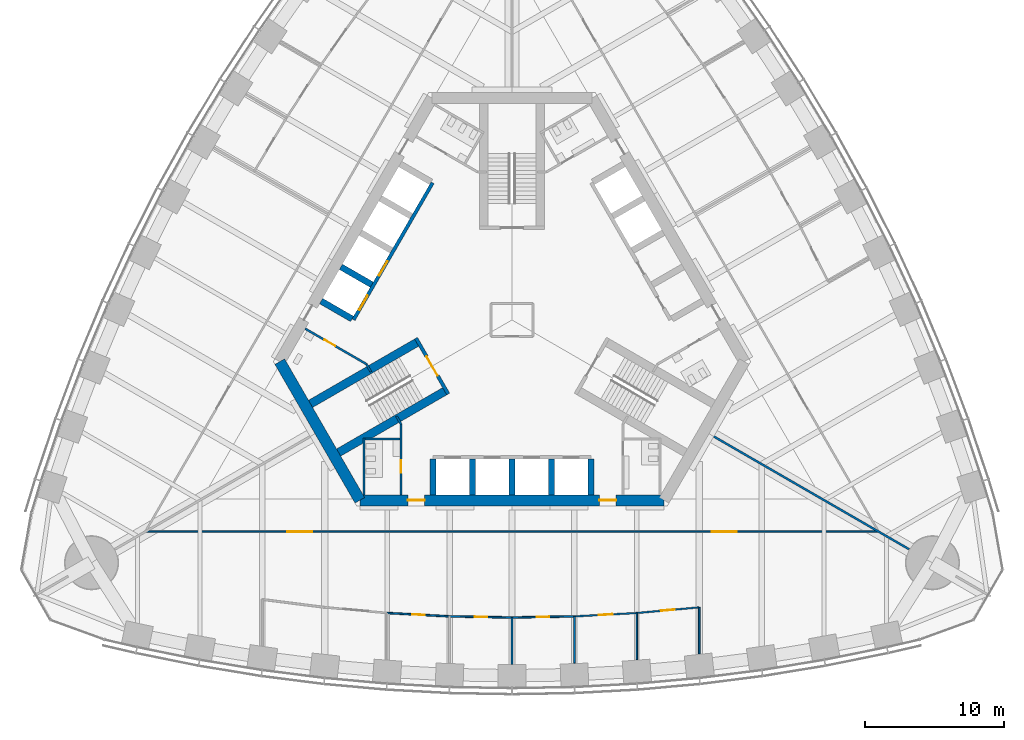
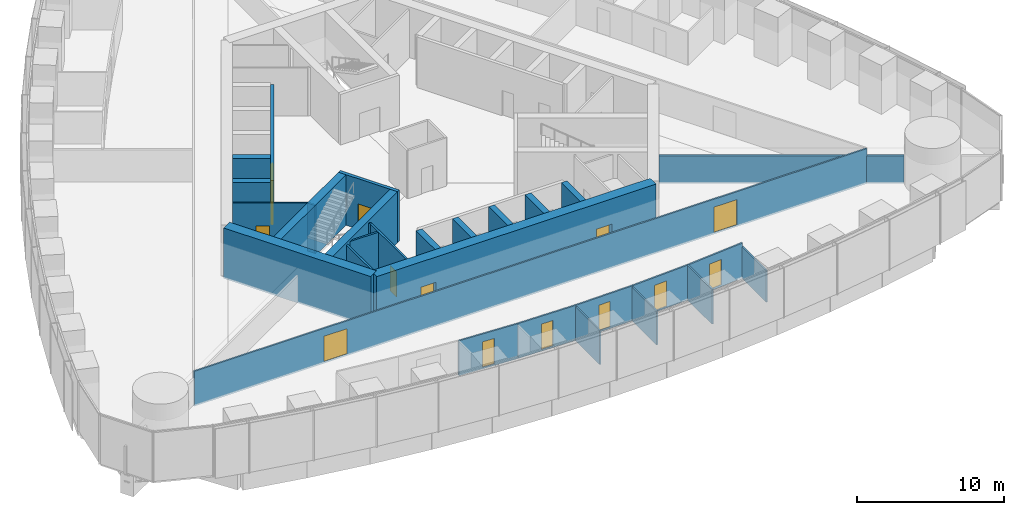
# One storey, part 11 of 19: 30 walls, 14 doors, 14 openings.
"""IFC4 building model written with IfcOpenShell, lengths in metres."""

from ifc_helpers import new_model, si_unit, direction, frame, frame_2d, origin, place, context, subcontext, project, spatial, rectangle, extrude, material, layer, layer_set, type_object, element, fill, save


model = new_model("IFC4")

# Units and contexts
model_context = context("Model", 3, precision=1e-05, world=origin(), true_north=direction((0.0, 1.0)))
body_context = subcontext(model_context, "Body", "Model", "MODEL_VIEW")
ifc_project = project(units=[si_unit("LENGTHUNIT", "METRE"), si_unit("AREAUNIT", "SQUARE_METRE"), si_unit("VOLUMEUNIT", "CUBIC_METRE"), si_unit("PLANEANGLEUNIT", "RADIAN"), si_unit("MASSUNIT", "GRAM", prefix="KILO")], contexts=[model_context])

# Site, building, storey
site_placement = place(None, origin())
site = spatial("IfcSite", under=ifc_project, at=site_placement, CompositionType="ELEMENT")
building_placement = place(site_placement, origin())
building = spatial("IfcBuilding", under=site, at=building_placement, Name="Trefoil Bronze Tower", CompositionType="ELEMENT")
storey_placement = place(building_placement, frame((0.0, 0.0, 166.10009765625)))
storey = spatial("IfcBuildingStorey", under=building, at=storey_placement, Name="L38", CompositionType="ELEMENT", Elevation=166.10009765625)

# Wall, openings, doors
ifc_material_1 = material(Name="Concrete B80", Category="concrete")
ifc_layer_1 = layer(ifc_material_1, 0.800048828125)
ifc_layer_set_1 = layer_set([ifc_layer_1], Name="Core wall 800")
wall_type_1 = type_object("IfcWallType", Name="Core wall 800", PredefinedType="SHEAR", material=ifc_layer_set_1)
wall_1_placement = place(storey_placement, frame((-10.9697265625, -13.0, 0.0), z_axis=(0.0, 0.0, 1.0), x_axis=(1.0, 0.0, 0.0)))
wall_1 = element("IfcWall", 1, at=wall_1_placement, inside=storey, type_object=wall_type_1, Name="Core long wall 1 L38", PredefinedType="SHEAR", context=body_context, shape_type="SweptSolid", body=[
    extrude(rectangle(XDim=21.939453125, YDim=0.800048828125, at=frame_2d((10.9697265625, 0.0))), origin(), (0.0, 0.0, 1.0), 4.199951171875),
])
opening_1_placement = place(wall_1_placement, frame((17.269775390625, 0.0, 0.0)))
opening_1 = element("IfcOpeningElement", 2, at=opening_1_placement, cuts=wall_1, Name="Opening D2", PredefinedType="OPENING", context=body_context, shape_type="SweptSolid", body=[
    extrude(rectangle(XDim=1.199951171875, YDim=2.10009765625, at=frame_2d((0.60009765625, 1.050048828125))), frame((0.0, 0.409912109375, 0.0), z_axis=(0.0, -1.0, 0.0), x_axis=(1.0, 0.0, 0.0)), (0.0, 0.0, 1.0), 0.820068359375),
])
opening_2_placement = place(wall_1_placement, frame((3.4697265625, 0.0, 0.0)))
opening_2 = element("IfcOpeningElement", 3, at=opening_2_placement, cuts=wall_1, Name="Opening D2", PredefinedType="OPENING", context=body_context, shape_type="SweptSolid", body=[
    extrude(rectangle(XDim=1.199951171875, YDim=2.10009765625, at=frame_2d((0.60009765625, 1.050048828125))), frame((0.0, 0.409912109375, 0.0), z_axis=(0.0, -1.0, 0.0), x_axis=(1.0, 0.0, 0.0)), (0.0, 0.0, 1.0), 0.820068359375),
])
ifc_material_2 = material(Name="Steel door", Category="steel")
door_type_1 = type_object("IfcDoorType", Name="Lobby door 1200", OperationType="SINGLE_SWING_RIGHT", PredefinedType="DOOR", material=ifc_material_2)
door_1_placement = place(opening_1_placement, origin())
door_1 = element("IfcDoor", 4, at=door_1_placement, inside=storey, type_object=door_type_1, Name="Lobby door F1+ L38", OperationType="SINGLE_SWING_RIGHT", OverallHeight=2.10009765625, OverallWidth=1.199951171875, PredefinedType="DOOR", context=body_context, shape_type="SweptSolid", body=[
    extrude(rectangle(XDim=1.199951171875, YDim=2.10009765625, at=frame_2d((0.60009765625, 1.050048828125))), frame((0.0, 0.02490234375, 0.0), z_axis=(0.0, -1.0, 0.0), x_axis=(1.0, 0.0, 0.0)), (0.0, 0.0, 1.0), 0.050048828125),
])
fill(opening_1, door_1)
door_2_placement = place(opening_2_placement, origin())
door_2 = element("IfcDoor", 5, at=door_2_placement, inside=storey, type_object=door_type_1, Name="Lobby door F1- L38", OperationType="SINGLE_SWING_LEFT", OverallHeight=2.10009765625, OverallWidth=1.199951171875, PredefinedType="DOOR", context=body_context, shape_type="SweptSolid", body=[
    extrude(rectangle(XDim=1.199951171875, YDim=2.10009765625, at=frame_2d((0.60009765625, 1.050048828125))), frame((0.0, 0.02490234375, 0.0), z_axis=(0.0, -1.0, 0.0), x_axis=(1.0, 0.0, 0.0)), (0.0, 0.0, 1.0), 0.050048828125),
])
fill(opening_2, door_2)

# Wall
wall_2_placement = place(storey_placement, frame((-16.7431640625, -3.0, 0.0), z_axis=(0.0, 0.0, 1.0), x_axis=(0.499995765644, -0.866027848477, 0.0)))
element("IfcWall", 6, at=wall_2_placement, inside=storey, type_object=wall_type_1, Name="Core short wall 3 L38", PredefinedType="SHEAR", context=body_context, shape_type="SweptSolid", body=[
    extrude(rectangle(XDim=11.546875, YDim=0.800048828125, at=frame_2d((5.7734375, 0.0))), origin(), (0.0, 0.0, 1.0), 4.199951171875),
])

# Wall, openings, doors
ifc_material_3 = material(Name="Glazed partition", Category="glass")
ifc_layer_2 = layer(ifc_material_3, 0.1201171875)
ifc_layer_set_2 = layer_set([ifc_layer_2], Name="Glazed partition 120")
wall_type_2 = type_object("IfcWallType", Name="Glazed partition 120", PredefinedType="PARTITIONING", material=ifc_layer_set_2)
wall_3_placement = place(storey_placement, frame((-26.398193359375, -15.260009765625, 0.0), z_axis=(0.0, 0.0, 1.0), x_axis=(1.0, 0.0, 0.0)))
wall_3 = element("IfcWall", 7, at=wall_3_placement, inside=storey, type_object=wall_type_2, Name="Partition F1 L38", PredefinedType="PARTITIONING", context=body_context, shape_type="SweptSolid", body=[
    extrude(rectangle(XDim=52.79638671875, YDim=0.1201171875, at=frame_2d((26.398193359375, 0.0))), origin(), (0.0, 0.0, 1.0), 2.89990234375),
])
opening_3_placement = place(wall_3_placement, frame((10.199951171875, 0.0, 0.14990234375)))
opening_3 = element("IfcOpeningElement", 8, at=opening_3_placement, cuts=wall_3, Name="Opening D10", PredefinedType="OPENING", context=body_context, shape_type="SweptSolid", body=[
    extrude(rectangle(XDim=1.800048828125, YDim=2.10009765625, at=frame_2d((0.89990234375, 1.050048828125))), frame((0.0, 0.070068359375, 0.0), z_axis=(0.0, -1.0, 0.0), x_axis=(1.0, 0.0, 0.0)), (0.0, 0.0, 1.0), 0.14013671875),
])
opening_4_placement = place(wall_3_placement, frame((40.800048828125, 0.0, 0.14990234375)))
opening_4 = element("IfcOpeningElement", 9, at=opening_4_placement, cuts=wall_3, Name="Opening D10", PredefinedType="OPENING", context=body_context, shape_type="SweptSolid", body=[
    extrude(rectangle(XDim=1.800048828125, YDim=2.10009765625, at=frame_2d((0.89990234375, 1.050048828125))), frame((0.0, 0.070068359375, 0.0), z_axis=(0.0, -1.0, 0.0), x_axis=(1.0, 0.0, 0.0)), (0.0, 0.0, 1.0), 0.14013671875),
])
ifc_material_4 = material(Name="Timber door", Category="wood")
door_type_2 = type_object("IfcDoorType", Name="Double door 1800", OperationType="DOUBLE_DOOR_SINGLE_SWING", PredefinedType="DOOR", material=ifc_material_4)
door_3_placement = place(opening_3_placement, origin())
door_3 = element("IfcDoor", 10, at=door_3_placement, inside=storey, type_object=door_type_2, Name="Corridor door F1 L38", OperationType="DOUBLE_DOOR_SINGLE_SWING", OverallHeight=2.10009765625, OverallWidth=1.800048828125, PredefinedType="DOOR", context=body_context, shape_type="SweptSolid", body=[
    extrude(rectangle(XDim=1.800048828125, YDim=2.10009765625, at=frame_2d((0.89990234375, 1.050048828125))), frame((0.0, 0.02490234375, 0.0), z_axis=(0.0, -1.0, 0.0), x_axis=(1.0, 0.0, 0.0)), (0.0, 0.0, 1.0), 0.050048828125),
])
fill(opening_3, door_3)
door_4_placement = place(opening_4_placement, origin())
door_4 = element("IfcDoor", 11, at=door_4_placement, inside=storey, type_object=door_type_2, Name="Corridor door F1 L38", OperationType="DOUBLE_DOOR_SINGLE_SWING", OverallHeight=2.10009765625, OverallWidth=1.800048828125, PredefinedType="DOOR", context=body_context, shape_type="SweptSolid", body=[
    extrude(rectangle(XDim=1.800048828125, YDim=2.10009765625, at=frame_2d((0.89990234375, 1.050048828125))), frame((0.0, 0.02490234375, 0.0), z_axis=(0.0, -1.0, 0.0), x_axis=(1.0, 0.0, 0.0)), (0.0, 0.0, 1.0), 0.050048828125),
])
fill(opening_4, door_4)

# Wall, opening, door
wall_4_placement = place(storey_placement, frame((0.0, -21.44970703125, 0.0), z_axis=(0.0, 0.0, 1.0), x_axis=(0.999837820638, 0.018009231578, 0.0)))
wall_4 = element("IfcWall", 12, at=wall_4_placement, inside=storey, type_object=wall_type_2, Name="Partition F1 L38", PredefinedType="PARTITIONING", context=body_context, shape_type="SweptSolid", body=[
    extrude(rectangle(XDim=4.500732421875, YDim=0.1201171875, at=frame_2d((2.25048828125, 0.0))), origin(), (0.0, 0.0, 1.0), 2.89990234375),
])
opening_5_placement = place(wall_4_placement, frame((1.800048828125, 0.0, 0.14990234375)))
opening_5 = element("IfcOpeningElement", 13, at=opening_5_placement, cuts=wall_4, Name="Opening D8", PredefinedType="OPENING", context=body_context, shape_type="SweptSolid", body=[
    extrude(rectangle(XDim=0.89990234375, YDim=2.10009765625, at=frame_2d((0.449951171875, 1.050048828125))), frame((0.0, 0.070068359375, 0.0), z_axis=(0.0, -1.0, 0.0), x_axis=(1.0, 0.0, 0.0)), (0.0, 0.0, 1.0), 0.14013671875),
])
ifc_material_5 = material(Name="Timber door", Category="wood")
door_type_3 = type_object("IfcDoorType", Name="Office door 900", OperationType="SINGLE_SWING_LEFT", PredefinedType="DOOR", material=ifc_material_5)
door_5_placement = place(opening_5_placement, frame((0.89990234375, 0.0, 0.0), z_axis=(0.0, 0.0, 1.0), x_axis=(-1.0, 0.0, 0.0)))
door_5 = element("IfcDoor", 14, at=door_5_placement, inside=storey, type_object=door_type_3, Name="Office door F1 L38", OperationType="SINGLE_SWING_RIGHT", OverallHeight=2.10009765625, OverallWidth=0.89990234375, PredefinedType="DOOR", context=body_context, shape_type="SweptSolid", body=[
    extrude(rectangle(XDim=0.89990234375, YDim=2.10009765625, at=frame_2d((0.449951171875, 1.050048828125))), frame((0.0, 0.02490234375, 0.0), z_axis=(0.0, -1.0, 0.0), x_axis=(1.0, 0.0, 0.0)), (0.0, 0.0, 1.0), 0.050048828125),
])
fill(opening_5, door_5)

wall_5_placement = place(storey_placement, frame((4.5, -21.36865234375, 0.0), z_axis=(0.0, 0.0, 1.0), x_axis=(0.998537376538, 0.054065771581, 0.0)))
wall_5 = element("IfcWall", 15, at=wall_5_placement, inside=storey, type_object=wall_type_2, Name="Partition F1 L38", PredefinedType="PARTITIONING", context=body_context, shape_type="SweptSolid", body=[
    extrude(rectangle(XDim=4.506591796875, YDim=0.1201171875, at=frame_2d((2.25341796875, 0.0))), origin(), (0.0, 0.0, 1.0), 2.89990234375),
])
opening_6_placement = place(wall_5_placement, frame((1.75, 0.0, 0.14990234375)))
opening_6 = element("IfcOpeningElement", 16, at=opening_6_placement, cuts=wall_5, Name="Opening D9", PredefinedType="OPENING", context=body_context, shape_type="SweptSolid", body=[
    extrude(rectangle(XDim=1.0, YDim=2.10009765625, at=frame_2d((0.5, 1.050048828125))), frame((0.0, 0.070068359375, 0.0), z_axis=(0.0, -1.0, 0.0), x_axis=(1.0, 0.0, 0.0)), (0.0, 0.0, 1.0), 0.14013671875),
])
ifc_material_6 = material(Name="Glazed timber door", Category="wood")
door_type_4 = type_object("IfcDoorType", Name="Meeting room door 1000", OperationType="SINGLE_SWING_LEFT", PredefinedType="DOOR", material=ifc_material_6)
door_6_placement = place(opening_6_placement, frame((1.0, 0.0, 0.0), z_axis=(0.0, 0.0, 1.0), x_axis=(-1.0, 0.0, 0.0)))
door_6 = element("IfcDoor", 17, at=door_6_placement, inside=storey, type_object=door_type_4, Name="Meeting room door F1 L38", OperationType="SINGLE_SWING_RIGHT", OverallHeight=2.10009765625, OverallWidth=1.0, PredefinedType="DOOR", context=body_context, shape_type="SweptSolid", body=[
    extrude(rectangle(XDim=1.0, YDim=2.10009765625, at=frame_2d((0.5, 1.050048828125))), frame((0.0, 0.02490234375, 0.0), z_axis=(0.0, -1.0, 0.0), x_axis=(1.0, 0.0, 0.0)), (0.0, 0.0, 1.0), 0.050048828125),
])
fill(opening_6, door_6)

wall_6_placement = place(storey_placement, frame((9.0, -21.125, 0.0), z_axis=(0.0, 0.0, 1.0), x_axis=(0.995930325215, 0.090126507295, 0.0)))
wall_6 = element("IfcWall", 18, at=wall_6_placement, inside=storey, type_object=wall_type_2, Name="Partition F1 L38", PredefinedType="PARTITIONING", context=body_context, shape_type="SweptSolid", body=[
    extrude(rectangle(XDim=4.518310546875, YDim=0.1201171875, at=frame_2d((2.25927734375, 0.0))), origin(), (0.0, 0.0, 1.0), 2.89990234375),
])
opening_7_placement = place(wall_6_placement, frame((1.75, 0.0, 0.14990234375)))
opening_7 = element("IfcOpeningElement", 19, at=opening_7_placement, cuts=wall_6, Name="Opening D9", PredefinedType="OPENING", context=body_context, shape_type="SweptSolid", body=[
    extrude(rectangle(XDim=1.0, YDim=2.10009765625, at=frame_2d((0.5, 1.050048828125))), frame((0.0, 0.070068359375, 0.0), z_axis=(0.0, -1.0, 0.0), x_axis=(1.0, 0.0, 0.0)), (0.0, 0.0, 1.0), 0.14013671875),
])
door_7_placement = place(opening_7_placement, frame((1.0, 0.0, 0.0), z_axis=(0.0, 0.0, 1.0), x_axis=(-1.0, 0.0, 0.0)))
door_7 = element("IfcDoor", 20, at=door_7_placement, inside=storey, type_object=door_type_4, Name="Meeting room door F1 L38", OperationType="SINGLE_SWING_RIGHT", OverallHeight=2.10009765625, OverallWidth=1.0, PredefinedType="DOOR", context=body_context, shape_type="SweptSolid", body=[
    extrude(rectangle(XDim=1.0, YDim=2.10009765625, at=frame_2d((0.5, 1.050048828125))), frame((0.0, 0.02490234375, 0.0), z_axis=(0.0, -1.0, 0.0), x_axis=(1.0, 0.0, 0.0)), (0.0, 0.0, 1.0), 0.050048828125),
])
fill(opening_7, door_7)

wall_7_placement = place(storey_placement, frame((-4.5, -21.36865234375, 0.0), z_axis=(0.0, 0.0, 1.0), x_axis=(0.999837820638, -0.018009231578, 0.0)))
wall_7 = element("IfcWall", 21, at=wall_7_placement, inside=storey, type_object=wall_type_2, Name="Partition F1 L38", PredefinedType="PARTITIONING", context=body_context, shape_type="SweptSolid", body=[
    extrude(rectangle(XDim=4.500732421875, YDim=0.1201171875, at=frame_2d((2.25048828125, 0.0))), origin(), (0.0, 0.0, 1.0), 2.89990234375),
])
opening_8_placement = place(wall_7_placement, frame((1.800048828125, 0.0, 0.14990234375)))
opening_8 = element("IfcOpeningElement", 22, at=opening_8_placement, cuts=wall_7, Name="Opening D8", PredefinedType="OPENING", context=body_context, shape_type="SweptSolid", body=[
    extrude(rectangle(XDim=0.89990234375, YDim=2.10009765625, at=frame_2d((0.449951171875, 1.050048828125))), frame((0.0, 0.070068359375, 0.0), z_axis=(0.0, -1.0, 0.0), x_axis=(1.0, 0.0, 0.0)), (0.0, 0.0, 1.0), 0.14013671875),
])
door_8_placement = place(opening_8_placement, frame((0.89990234375, 0.0, 0.0), z_axis=(0.0, 0.0, 1.0), x_axis=(-1.0, 0.0, 0.0)))
door_8 = element("IfcDoor", 23, at=door_8_placement, inside=storey, type_object=door_type_3, Name="Office door F1 L38", OperationType="SINGLE_SWING_RIGHT", OverallHeight=2.10009765625, OverallWidth=0.89990234375, PredefinedType="DOOR", context=body_context, shape_type="SweptSolid", body=[
    extrude(rectangle(XDim=0.89990234375, YDim=2.10009765625, at=frame_2d((0.449951171875, 1.050048828125))), frame((0.0, 0.02490234375, 0.0), z_axis=(0.0, -1.0, 0.0), x_axis=(1.0, 0.0, 0.0)), (0.0, 0.0, 1.0), 0.050048828125),
])
fill(opening_8, door_8)

wall_8_placement = place(storey_placement, frame((-9.0, -21.125, 0.0), z_axis=(0.0, 0.0, 1.0), x_axis=(0.998537376538, -0.054065771581, 0.0)))
wall_8 = element("IfcWall", 24, at=wall_8_placement, inside=storey, type_object=wall_type_2, Name="Partition F1 L38", PredefinedType="PARTITIONING", context=body_context, shape_type="SweptSolid", body=[
    extrude(rectangle(XDim=4.506591796875, YDim=0.1201171875, at=frame_2d((2.25341796875, 0.0))), origin(), (0.0, 0.0, 1.0), 2.89990234375),
])
opening_9_placement = place(wall_8_placement, frame((1.800048828125, 0.0, 0.14990234375)))
opening_9 = element("IfcOpeningElement", 25, at=opening_9_placement, cuts=wall_8, Name="Opening D8", PredefinedType="OPENING", context=body_context, shape_type="SweptSolid", body=[
    extrude(rectangle(XDim=0.89990234375, YDim=2.10009765625, at=frame_2d((0.449951171875, 1.050048828125))), frame((0.0, 0.070068359375, 0.0), z_axis=(0.0, -1.0, 0.0), x_axis=(1.0, 0.0, 0.0)), (0.0, 0.0, 1.0), 0.14013671875),
])
door_9_placement = place(opening_9_placement, frame((0.89990234375, 0.0, 0.0), z_axis=(0.0, 0.0, 1.0), x_axis=(-1.0, 0.0, 0.0)))
door_9 = element("IfcDoor", 26, at=door_9_placement, inside=storey, type_object=door_type_3, Name="Office door F1 L38", OperationType="SINGLE_SWING_RIGHT", OverallHeight=2.10009765625, OverallWidth=0.89990234375, PredefinedType="DOOR", context=body_context, shape_type="SweptSolid", body=[
    extrude(rectangle(XDim=0.89990234375, YDim=2.10009765625, at=frame_2d((0.449951171875, 1.050048828125))), frame((0.0, 0.02490234375, 0.0), z_axis=(0.0, -1.0, 0.0), x_axis=(1.0, 0.0, 0.0)), (0.0, 0.0, 1.0), 0.050048828125),
])
fill(opening_9, door_9)

# Walls
wall_9_placement = place(storey_placement, frame((0.0, -21.44970703125, 0.0), z_axis=(0.0, 0.0, 1.0), x_axis=(0.0, -1.0, 0.0)))
element("IfcWall", 27, at=wall_9_placement, inside=storey, type_object=wall_type_2, Name="Partition F1 L38", PredefinedType="PARTITIONING", context=body_context, shape_type="SweptSolid", body=[
    extrude(rectangle(XDim=3.369873046875, YDim=0.1201171875, at=frame_2d((1.68505859375, 0.0))), origin(), (0.0, 0.0, 1.0), 2.7998046875),
])
wall_10_placement = place(storey_placement, frame((13.5, -20.7177734375, 0.0), z_axis=(0.0, 0.0, 1.0), x_axis=(0.0, -1.0, 0.0)))
element("IfcWall", 28, at=wall_10_placement, inside=storey, type_object=wall_type_2, Name="Partition F1 L38", PredefinedType="PARTITIONING", context=body_context, shape_type="SweptSolid", body=[
    extrude(rectangle(XDim=3.3603515625, YDim=0.1201171875, at=frame_2d((1.68017578125, 0.0))), origin(), (0.0, 0.0, 1.0), 2.599853515625),
])
wall_11_placement = place(storey_placement, frame((4.5, -21.36865234375, 0.0), z_axis=(0.0, 0.0, 1.0), x_axis=(0.0, -1.0, 0.0)))
element("IfcWall", 29, at=wall_11_placement, inside=storey, type_object=wall_type_2, Name="Partition F1 L38", PredefinedType="PARTITIONING", context=body_context, shape_type="SweptSolid", body=[
    extrude(rectangle(XDim=3.368896484375, YDim=0.1201171875, at=frame_2d((1.6845703125, 0.0))), origin(), (0.0, 0.0, 1.0), 2.7998046875),
])
wall_12_placement = place(storey_placement, frame((9.0, -21.125, 0.0), z_axis=(0.0, 0.0, 1.0), x_axis=(0.0, -1.0, 0.0)))
element("IfcWall", 30, at=wall_12_placement, inside=storey, type_object=wall_type_2, Name="Partition F1 L38", PredefinedType="PARTITIONING", context=body_context, shape_type="SweptSolid", body=[
    extrude(rectangle(XDim=3.36572265625, YDim=0.1201171875, at=frame_2d((1.682861328125, 0.0))), origin(), (0.0, 0.0, 1.0), 2.89990234375),
])
ifc_material_7 = material(Name="Concrete B80", Category="concrete")
ifc_layer_3 = layer(ifc_material_7, 0.449951171875)
ifc_layer_set_3 = layer_set([ifc_layer_3], Name="Outrigger shaft wall 450")
wall_type_3 = type_object("IfcWallType", Name="Outrigger shaft wall 450", PredefinedType="SHEAR", material=ifc_layer_set_3)
for number, where, z_axis, x_axis, name in (
    (31, (-5.699951171875, -10.02490234375, 0.0), (0.0, 0.0, 1.0), (0.0, -1.0, 0.0), "Lift shaft side wall A0 L38"),
    (32, (-2.85009765625, -10.02490234375, 0.0), (0.0, 0.0, 1.0), (0.0, -1.0, 0.0), "Lift shaft side wall A1 L38"),
    (33, (0.0, -10.02490234375, 0.0), (0.0, 0.0, 1.0), (0.0, -1.0, 0.0), "Lift shaft side wall A2 L38"),
    (34, (2.85009765625, -10.02490234375, 0.0), (0.0, 0.0, 1.0), (0.0, -1.0, 0.0), "Lift shaft side wall A3 L38"),
    (35, (5.699951171875, -10.02490234375, 0.0), (0.0, 0.0, 1.0), (0.0, -1.0, 0.0), "Lift shaft side wall A4 L38"),
):
    element("IfcWall", number, at=place(storey_placement, frame(where, z_axis=z_axis, x_axis=x_axis)), inside=storey, type_object=wall_type_3, Name=name, PredefinedType="SHEAR", context=body_context, shape_type="SweptSolid", body=[
        extrude(rectangle(XDim=2.5751953125, YDim=0.449951171875, at=frame_2d((1.28759765625, 0.0))), origin(), (0.0, 0.0, 1.0), 4.199951171875),
    ])
for number, where, z_axis, x_axis, name in (
    (36, (-10.10693359375, 2.54443359375, 0.0), (0.0, 0.0, 1.0), (-0.866046643894, 0.499963209246, 0.0), "Lift shaft side wall C3 L38"),
    (37, (-11.531982421875, 0.076171875, 0.0), (0.0, 0.0, 1.0), (-0.866005588531, 0.500034319456, 0.0), "Lift shaft side wall C4 L38"),
):
    element("IfcWall", number, at=place(storey_placement, frame(where, z_axis=z_axis, x_axis=x_axis)), inside=storey, type_object=wall_type_3, Name=name, PredefinedType="SHEAR", context=body_context, shape_type="SweptSolid", body=[
        extrude(rectangle(XDim=2.574951171875, YDim=0.449951171875, at=frame_2d((1.28759765625, 0.0))), origin(), (0.0, 0.0, 1.0), 4.199951171875),
    ])

# Wall, opening, door
ifc_material_8 = material(Name="Gypsum board on steel studs", Category="steel")
ifc_layer_4 = layer(ifc_material_8, 0.14990234375)
ifc_layer_set_4 = layer_set([ifc_layer_4], Name="Partition 150")
wall_type_4 = type_object("IfcWallType", Name="Partition 150", PredefinedType="PARTITIONING", material=ifc_layer_set_4)
wall_13_placement = place(storey_placement, frame((-8.0, -7.5, 0.0), z_axis=(0.0, 0.0, 1.0), x_axis=(0.0, -1.0, 0.0)))
wall_13 = element("IfcWall", 38, at=wall_13_placement, inside=storey, type_object=wall_type_4, Name="Passage wall F1- L38", PredefinedType="PARTITIONING", context=body_context, shape_type="SweptSolid", body=[
    extrude(rectangle(XDim=5.10009765625, YDim=0.14990234375, at=frame_2d((2.550048828125, 0.0))), origin(), (0.0, 0.0, 1.0), 4.0),
])
opening_10_placement = place(wall_13_placement, frame((2.60009765625, 0.0, 0.0)))
opening_10 = element("IfcOpeningElement", 39, at=opening_10_placement, cuts=wall_13, Name="Opening D3", PredefinedType="OPENING", context=body_context, shape_type="SweptSolid", body=[
    extrude(rectangle(XDim=0.89990234375, YDim=2.10009765625, at=frame_2d((0.449951171875, 1.050048828125))), frame((0.0, 0.0849609375, 0.0), z_axis=(0.0, -1.0, 0.0), x_axis=(1.0, 0.0, 0.0)), (0.0, 0.0, 1.0), 0.169921875),
])
ifc_material_9 = material(Name="Timber door", Category="wood")
door_type_5 = type_object("IfcDoorType", Name="WC door 900", OperationType="SINGLE_SWING_LEFT", PredefinedType="DOOR", material=ifc_material_9)
door_10_placement = place(opening_10_placement, frame((0.89990234375, 0.0, 0.0), z_axis=(0.0, 0.0, 1.0), x_axis=(-1.0, 0.0, 0.0)))
door_10 = element("IfcDoor", 40, at=door_10_placement, inside=storey, type_object=door_type_5, Name="WC (women) door L38", OperationType="SINGLE_SWING_RIGHT", OverallHeight=2.10009765625, OverallWidth=0.89990234375, PredefinedType="DOOR", context=body_context, shape_type="SweptSolid", body=[
    extrude(rectangle(XDim=0.89990234375, YDim=2.10009765625, at=frame_2d((0.449951171875, 1.050048828125))), frame((0.0, 0.02490234375, 0.0), z_axis=(0.0, -1.0, 0.0), x_axis=(1.0, 0.0, 0.0)), (0.0, 0.0, 1.0), 0.050048828125),
])
fill(opening_10, door_10)

wall_14_placement = place(storey_placement, frame((-10.4951171875, -3.17822265625, 0.0), z_axis=(0.0, 0.0, 1.0), x_axis=(-0.86602216432, 0.500005610874, 0.0)))
wall_14 = element("IfcWall", 41, at=wall_14_placement, inside=storey, type_object=wall_type_4, Name="Passage wall F3+ L38", PredefinedType="PARTITIONING", context=body_context, shape_type="SweptSolid", body=[
    extrude(rectangle(XDim=5.10009765625, YDim=0.14990234375, at=frame_2d((2.550048828125, 0.0))), origin(), (0.0, 0.0, 1.0), 4.0),
])
opening_11_placement = place(wall_14_placement, frame((2.60009765625, 0.0, 0.0)))
opening_11 = element("IfcOpeningElement", 42, at=opening_11_placement, cuts=wall_14, Name="Opening D3", PredefinedType="OPENING", context=body_context, shape_type="SweptSolid", body=[
    extrude(rectangle(XDim=0.89990234375, YDim=2.10009765625, at=frame_2d((0.449951171875, 1.050048828125))), frame((0.0, 0.0849609375, 0.0), z_axis=(0.0, -1.0, 0.0), x_axis=(1.0, 0.0, 0.0)), (0.0, 0.0, 1.0), 0.169921875),
])
door_11_placement = place(opening_11_placement, origin())
door_11 = element("IfcDoor", 43, at=door_11_placement, inside=storey, type_object=door_type_5, Name="Accessible WC door L38", OperationType="SINGLE_SWING_RIGHT", OverallHeight=2.10009765625, OverallWidth=0.89990234375, PredefinedType="DOOR", context=body_context, shape_type="SweptSolid", body=[
    extrude(rectangle(XDim=0.89990234375, YDim=2.10009765625, at=frame_2d((0.449951171875, 1.050048828125))), frame((0.0, 0.02490234375, 0.0), z_axis=(0.0, -1.0, 0.0), x_axis=(1.0, 0.0, 0.0)), (0.0, 0.0, 1.0), 0.050048828125),
])
fill(opening_11, door_11)

# Walls
for number, where, z_axis, x_axis, name in (
    (44, (-10.4951171875, -3.17822265625, 0.0), (0.0, 0.0, 1.0), (0.499842556608, -0.866116284689, 0.0), "WC wall ST3-1 L38"),
    (45, (-8.0, -7.5, 0.0), (0.0, 0.0, 1.0), (-0.499842556608, 0.866116284689, 0.0), "WC wall ST3+1 L38"),
):
    element("IfcWall", number, at=place(storey_placement, frame(where, z_axis=z_axis, x_axis=x_axis)), inside=storey, type_object=wall_type_4, Name=name, PredefinedType="PARTITIONING", context=body_context, shape_type="SweptSolid", body=[
        extrude(rectangle(XDim=0.645263671875, YDim=0.14990234375, at=frame_2d((0.32275390625, 0.0))), origin(), (0.0, 0.0, 1.0), 4.0),
    ])
wall_15_placement = place(storey_placement, frame((-10.659912109375, -8.5, 0.0), z_axis=(0.0, 0.0, 1.0), x_axis=(0.0, -1.0, 0.0)))
element("IfcWall", 46, at=wall_15_placement, inside=storey, type_object=wall_type_4, Name="WC partition WC (women) L38", PredefinedType="PARTITIONING", context=body_context, shape_type="SweptSolid", body=[
    extrude(rectangle(XDim=4.10009765625, YDim=0.14990234375, at=frame_2d((2.050048828125, 0.0))), origin(), (0.0, 0.0, 1.0), 4.0),
])
wall_16_placement = place(storey_placement, frame((-8.074951171875, -8.574951171875, 0.0), z_axis=(0.0, 0.0, 1.0), x_axis=(-1.0, 0.0, 0.0)))
element("IfcWall", 47, at=wall_16_placement, inside=storey, type_object=wall_type_4, Name="WC partition WC (women) L38", PredefinedType="PARTITIONING", context=body_context, shape_type="SweptSolid", body=[
    extrude(rectangle(XDim=2.510009765625, YDim=0.14990234375, at=frame_2d((1.2548828125, 0.0))), origin(), (0.0, 0.0, 1.0), 4.0),
])
ifc_material_10 = material(Name="Gypsum board on steel studs", Category="steel")
ifc_layer_5 = layer(ifc_material_10, 0.14990234375)
ifc_layer_set_5 = layer_set([ifc_layer_5], Name="Party wall 150")
wall_type_5 = type_object("IfcWallType", Name="Party wall 150", PredefinedType="PARTITIONING", material=ifc_layer_set_5)
wall_17_placement = place(storey_placement, frame((14.202880859375, -8.199951171875, 0.0), z_axis=(0.0, 0.0, 1.0), x_axis=(0.866024668836, -0.500001272966, 0.0)))
element("IfcWall", 48, at=wall_17_placement, inside=storey, type_object=wall_type_5, Name="Party wall K1 L38", PredefinedType="PARTITIONING", context=body_context, shape_type="SweptSolid", body=[
    extrude(rectangle(XDim=16.64990234375, YDim=0.14990234375, at=frame_2d((8.324951171875, 0.0))), origin(), (0.0, 0.0, 1.0), 2.2998046875),
])

# Wall, openings, doors
ifc_material_11 = material(Name="Concrete B80", Category="concrete")
ifc_layer_6 = layer(ifc_material_11, 0.25)
ifc_layer_set_6 = layer_set([ifc_layer_6], Name="Shaft wall 250")
wall_type_6 = type_object("IfcWallType", Name="Shaft wall 250", PredefinedType="SHEAR", material=ifc_layer_set_6)
wall_18_placement = place(storey_placement, frame((-5.7236328125, 9.88623046875, 0.0), z_axis=(0.0, 0.0, 1.0), x_axis=(-0.500001763848, -0.866024385424, 0.0)))
wall_18 = element("IfcWall", 49, at=wall_18_placement, inside=storey, type_object=wall_type_6, Name="Lift shaft front wall C L38", PredefinedType="SHEAR", context=body_context, shape_type="SweptSolid", body=[
    extrude(rectangle(XDim=11.39990234375, YDim=0.25, at=frame_2d((5.699951171875, 0.0))), origin(), (0.0, 0.0, 1.0), 4.199951171875),
])
opening_12_placement = place(wall_18_placement, frame((6.52490234375, 0.0, 0.0)))
opening_12 = element("IfcOpeningElement", 50, at=opening_12_placement, cuts=wall_18, Name="Opening LD-FL1", PredefinedType="OPENING", context=body_context, shape_type="SweptSolid", body=[
    extrude(rectangle(XDim=1.199951171875, YDim=2.199951171875, at=frame_2d((0.60009765625, 1.10009765625))), frame((0.0, 0.135009765625, 0.0), z_axis=(0.0, -1.0, 0.0), x_axis=(1.0, 0.0, 0.0)), (0.0, 0.0, 1.0), 0.27001953125),
])
opening_13_placement = place(wall_18_placement, frame((9.375, 0.0, 0.0)))
opening_13 = element("IfcOpeningElement", 51, at=opening_13_placement, cuts=wall_18, Name="Opening LD-FL2", PredefinedType="OPENING", context=body_context, shape_type="SweptSolid", body=[
    extrude(rectangle(XDim=1.199951171875, YDim=2.199951171875, at=frame_2d((0.60009765625, 1.10009765625))), frame((0.0, 0.135009765625, 0.0), z_axis=(0.0, -1.0, 0.0), x_axis=(1.0, 0.0, 0.0)), (0.0, 0.0, 1.0), 0.27001953125),
])
ifc_material_12 = material(Name="Steel door", Category="steel")
door_type_6 = type_object("IfcDoorType", Name="Lift landing door 1200", OperationType="DOUBLE_DOOR_SLIDING", PredefinedType="DOOR", material=ifc_material_12)
door_12_placement = place(opening_12_placement, origin())
door_12 = element("IfcDoor", 52, at=door_12_placement, inside=storey, type_object=door_type_6, Name="Lift FL1 landing door L38", OperationType="DOUBLE_DOOR_SLIDING", OverallHeight=2.199951171875, OverallWidth=1.199951171875, PredefinedType="DOOR", context=body_context, shape_type="SweptSolid", body=[
    extrude(rectangle(XDim=1.199951171875, YDim=2.199951171875, at=frame_2d((0.60009765625, 1.10009765625))), frame((0.0, 0.02490234375, 0.0), z_axis=(0.0, -1.0, 0.0), x_axis=(1.0, 0.0, 0.0)), (0.0, 0.0, 1.0), 0.050048828125),
])
fill(opening_12, door_12)
door_13_placement = place(opening_13_placement, origin())
door_13 = element("IfcDoor", 53, at=door_13_placement, inside=storey, type_object=door_type_6, Name="Lift FL2 landing door L38", OperationType="DOUBLE_DOOR_SLIDING", OverallHeight=2.199951171875, OverallWidth=1.199951171875, PredefinedType="DOOR", context=body_context, shape_type="SweptSolid", body=[
    extrude(rectangle(XDim=1.199951171875, YDim=2.199951171875, at=frame_2d((0.60009765625, 1.10009765625))), frame((0.0, 0.02490234375, 0.0), z_axis=(0.0, -1.0, 0.0), x_axis=(1.0, 0.0, 0.0)), (0.0, 0.0, 1.0), 0.050048828125),
])
fill(opening_13, door_13)

# Wall, opening, door
wall_19_placement = place(storey_placement, frame((-6.921630859375, -1.3115234375, 0.0), z_axis=(0.0, 0.0, 1.0), x_axis=(0.499984536904, -0.866034331223, 0.0)))
wall_19 = element("IfcWall", 54, at=wall_19_placement, inside=storey, type_object=wall_type_6, Name="Stair end wall ST3 L38", PredefinedType="SHEAR", context=body_context, shape_type="SweptSolid", body=[
    extrude(rectangle(XDim=4.650146484375, YDim=0.25, at=frame_2d((2.3251953125, 0.0))), origin(), (0.0, 0.0, 1.0), 4.199951171875),
])
opening_14_placement = place(wall_19_placement, frame((1.52490234375, 0.0, 0.0)))
opening_14 = element("IfcOpeningElement", 55, at=opening_14_placement, cuts=wall_19, Name="Opening D1", PredefinedType="OPENING", context=body_context, shape_type="SweptSolid", body=[
    extrude(rectangle(XDim=1.60009765625, YDim=2.10009765625, at=frame_2d((0.800048828125, 1.050048828125))), frame((0.0, 0.135009765625, 0.0), z_axis=(0.0, -1.0, 0.0), x_axis=(1.0, 0.0, 0.0)), (0.0, 0.0, 1.0), 0.27001953125),
])
ifc_material_13 = material(Name="Steel door", Category="steel")
door_type_7 = type_object("IfcDoorType", Name="Stair door 1600", OperationType="DOUBLE_DOOR_SINGLE_SWING", PredefinedType="DOOR", material=ifc_material_13)
door_14_placement = place(opening_14_placement, frame((1.60009765625, 0.0, 0.0), z_axis=(0.0, 0.0, 1.0), x_axis=(-1.0, 0.0, 0.0)))
door_14 = element("IfcDoor", 56, at=door_14_placement, inside=storey, type_object=door_type_7, Name="Stair door ST3 L38", OperationType="DOUBLE_DOOR_SINGLE_SWING", OverallHeight=2.10009765625, OverallWidth=1.60009765625, PredefinedType="DOOR", context=body_context, shape_type="SweptSolid", body=[
    extrude(rectangle(XDim=1.60009765625, YDim=2.10009765625, at=frame_2d((0.800048828125, 1.050048828125))), frame((0.0, 0.02490234375, 0.0), z_axis=(0.0, -1.0, 0.0), x_axis=(1.0, 0.0, 0.0)), (0.0, 0.0, 1.0), 0.050048828125),
])
fill(opening_14, door_14)

# Walls
ifc_material_14 = material(Name="Concrete B80", Category="concrete")
ifc_layer_7 = layer(ifc_material_14, 0.60009765625)
ifc_layer_set_7 = layer_set([ifc_layer_7], Name="Stair wall 600")
wall_type_7 = type_object("IfcWallType", Name="Stair wall 600", PredefinedType="SHEAR", material=ifc_layer_set_7)
for number, where, z_axis, x_axis, name in (
    (57, (-6.663330078125, -1.5087890625, 0.0), (0.0, 0.0, 1.0), (-0.866019375473, -0.500010441196, 0.0), "Stair wall ST3 L38"),
    (58, (-4.638427734375, -5.01611328125, 0.0), (0.0, 0.0, 1.0), (-0.866019375473, -0.500010441196, 0.0), "Stair wall ST3 L38"),
):
    element("IfcWall", number, at=place(storey_placement, frame(where, z_axis=z_axis, x_axis=x_axis)), inside=storey, type_object=wall_type_7, Name=name, PredefinedType="SHEAR", context=body_context, shape_type="SweptSolid", body=[
        extrude(rectangle(XDim=9.074951171875, YDim=0.60009765625, at=frame_2d((4.53759765625, 0.0))), origin(), (0.0, 0.0, 1.0), 4.199951171875),
    ])

save(model, "model.ifc")
